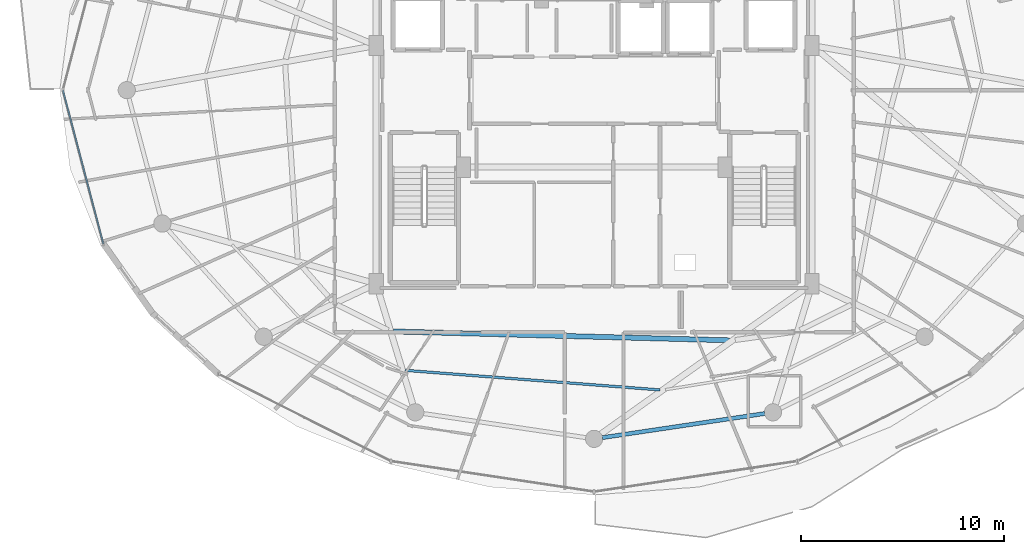
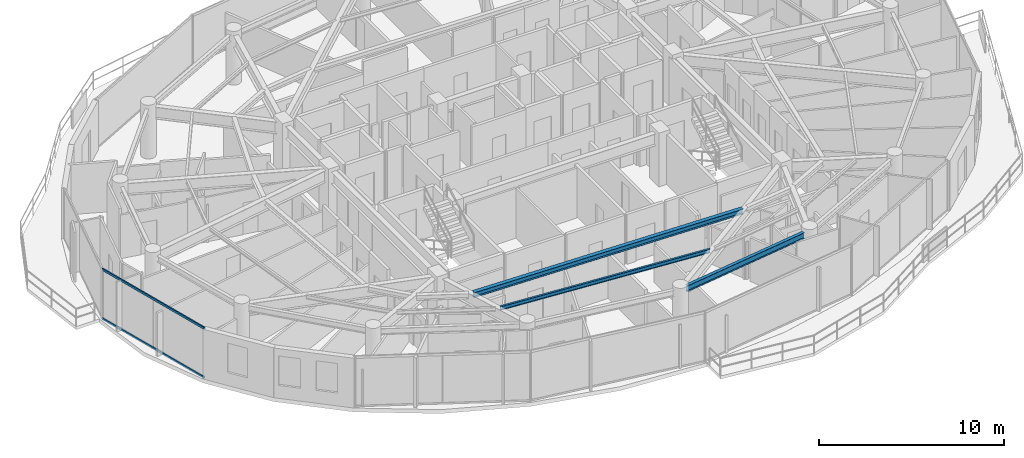
# One storey, part 5 of 30: 3 beams, 2 members, 1 element without a shape of its own.
"""IFC4 building model written with IfcOpenShell, lengths in metres."""

from ifc_helpers import new_model, si_unit, direction, frame, origin, origin_2d, place, context, subcontext, project, spatial, hollow_rectangle, i_section, extrude, material, material_profile, profile_set, type_object, element, aggregate, save


model = new_model("IFC4")

# Units and contexts
model_context = context("Model", 3, precision=1e-05, world=origin(), true_north=direction((0.0, 1.0)))
body_context = subcontext(model_context, "Body", "Model", "MODEL_VIEW")
ifc_project = project(units=[si_unit("LENGTHUNIT", "METRE"), si_unit("AREAUNIT", "SQUARE_METRE"), si_unit("VOLUMEUNIT", "CUBIC_METRE"), si_unit("PLANEANGLEUNIT", "RADIAN"), si_unit("MASSUNIT", "GRAM", prefix="KILO")], contexts=[model_context])

# Site, building, storey
site_placement = place(None, origin())
site = spatial("IfcSite", under=ifc_project, at=site_placement, CompositionType="ELEMENT")
building_placement = place(site_placement, origin())
building = spatial("IfcBuilding", under=site, at=building_placement, Name="Vorneva Point Tower", CompositionType="ELEMENT")
storey_placement = place(building_placement, frame((0.0, 0.0, 262.64990234375)))
storey = spatial("IfcBuildingStorey", under=building, at=storey_placement, Name="L71", CompositionType="ELEMENT", Elevation=262.64990234375)

# Beams
ifc_material_1 = material(Name="Steel S355", Category="steel")
ifc_material_profile_1 = material_profile(ifc_material_1, i_section(OverallWidth=0.1240234375, OverallDepth=0.248046875, WebThickness=0.0048828125, FlangeThickness=0.008056640625, at=origin_2d()), Name="25B1")
ifc_profile_set_1 = profile_set([ifc_material_profile_1], Name="Steel S355")
beam_type_1 = type_object("IfcBeamType", Name="BM-JST-25B1", PredefinedType="JOIST", material=ifc_profile_set_1)
beam_1_placement = place(storey_placement, frame((28.68359375, 12.179931640625, 3.166015625), z_axis=(0.997054827602, -0.076692051447, 0.0), x_axis=(0.076692051447, 0.997054827602, 0.0)))
element("IfcBeam", 1, at=beam_1_placement, inside=storey, type_object=beam_type_1, Name="L71 Secondary Floor Beam 1.12", PredefinedType="JOIST", context=body_context, shape_type="SweptSolid", body=[
    extrude(i_section(OverallWidth=0.1240234375, OverallDepth=0.248046875, WebThickness=0.0048828125, FlangeThickness=0.008056640625, at=origin_2d()), origin(), (0.0, 0.0, 1.0), 12.593505859375),
])
ifc_material_profile_2 = material_profile(ifc_material_1, i_section(OverallWidth=0.2490234375, OverallDepth=0.333984375, WebThickness=0.008056640625, FlangeThickness=0.010986328125, at=origin_2d()), Name="35Sh1")
ifc_profile_set_2 = profile_set([ifc_material_profile_2], Name="Steel S355")
beam_type_2 = type_object("IfcBeamType", Name="BM-SEC-35Sh1", PredefinedType="BEAM", material=ifc_profile_set_2)
beam_2_placement = place(storey_placement, frame((28.1025390625, 14.09765625, 3.123046875), z_axis=(0.999651399145, -0.026402276188, 0.0), x_axis=(0.026402276188, 0.999651399145, 0.0)))
element("IfcBeam", 2, at=beam_2_placement, inside=storey, type_object=beam_type_2, Name="L71 Secondary Floor Beam 2.12", PredefinedType="BEAM", context=body_context, shape_type="SweptSolid", body=[
    extrude(i_section(OverallWidth=0.2490234375, OverallDepth=0.333984375, WebThickness=0.008056640625, FlangeThickness=0.010986328125, at=origin_2d()), origin(), (0.0, 0.0, 1.0), 16.589111328125),
])
ifc_material_profile_3 = material_profile(ifc_material_1, i_section(OverallWidth=0.198974609375, OverallDepth=0.39599609375, WebThickness=0.007080078125, FlangeThickness=0.010986328125, at=origin_2d()), Name="40B1")
ifc_profile_set_3 = profile_set([ifc_material_profile_3], Name="Steel S355")
beam_type_3 = type_object("IfcBeamType", Name="BM-SPN-40B1", PredefinedType="SPANDREL", material=ifc_profile_set_3)
beam_3_placement = place(storey_placement, frame((38.405517578125, 8.860107421875, 3.092041015625), z_axis=(0.989161657331, 0.146830567886, 0.0), x_axis=(-0.146830567886, 0.989161657331, 0.0)))
element("IfcBeam", 3, at=beam_3_placement, inside=storey, type_object=beam_type_3, Name="L71 Perimeter Spandrel Ring Beam 13", PredefinedType="SPANDREL", context=body_context, shape_type="SweptSolid", body=[
    extrude(i_section(OverallWidth=0.198974609375, OverallDepth=0.39599609375, WebThickness=0.007080078125, FlangeThickness=0.010986328125, at=origin_2d()), origin(), (0.0, 0.0, 1.0), 8.097412109375),
])

# Curtain wall, members
ifc_material_2 = material(Name="Pale anodised aluminium", Category="aluminium")
curtain_wall_type = type_object("IfcCurtainWallType", Name="CW-RES-SYS", PredefinedType="NOTDEFINED", material=ifc_material_2)
curtain_wall_placement = place(storey_placement, origin())
curtain_wall = element("IfcCurtainWall", 4, at=curtain_wall_placement, inside=storey, type_object=curtain_wall_type, Name="L71 Unitised Curtain Wall CW-L71-R03", PredefinedType="NOTDEFINED")
ifc_material_profile_4 = material_profile(ifc_material_2, hollow_rectangle(XDim=0.074951171875, YDim=0.14990234375, WallThickness=0.00390625, at=origin_2d()), Name="AL-TRN 150x75x4")
ifc_profile_set_4 = profile_set([ifc_material_profile_4], Name="Pale anodised aluminium")
member_type = type_object("IfcMemberType", Name="CW-TRN-150", PredefinedType="USERDEFINED", material=ifc_profile_set_4)
member_1_placement = place(storey_placement, frame((11.800048828125, 26.0, 0.02001953125), z_axis=(0.254418180926, -0.967094302131, 0.0), x_axis=(0.967094302131, 0.254418180926, 0.0)))
member_1 = element("IfcMember", 5, at=member_1_placement, type_object=member_type, Name="CW-L71-R03 Transom 02.1", ObjectType="TRANSOM", PredefinedType="USERDEFINED", context=body_context, shape_type="SweptSolid", body=[
    extrude(hollow_rectangle(XDim=0.074951171875, YDim=0.14990234375, WallThickness=0.00390625, at=origin_2d()), origin(), (0.0, 0.0, 1.0), 7.839111328125),
])
member_2_placement = place(storey_placement, frame((11.800048828125, 26.0, 3.27001953125), z_axis=(0.254418180926, -0.967094302131, 0.0), x_axis=(0.967094302131, 0.254418180926, 0.0)))
member_2 = element("IfcMember", 6, at=member_2_placement, type_object=member_type, Name="CW-L71-R03 Transom 02.2", ObjectType="TRANSOM", PredefinedType="USERDEFINED", context=body_context, shape_type="SweptSolid", body=[
    extrude(hollow_rectangle(XDim=0.074951171875, YDim=0.14990234375, WallThickness=0.00390625, at=origin_2d()), origin(), (0.0, 0.0, 1.0), 7.839111328125),
])
aggregate(curtain_wall, [member_1, member_2])

save(model, "model.ifc")
